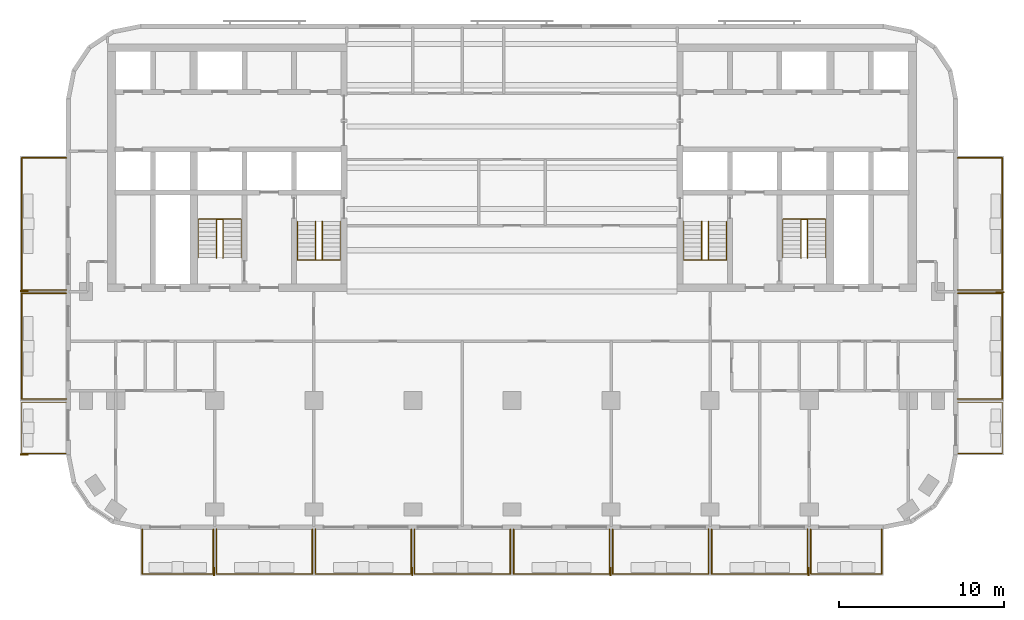
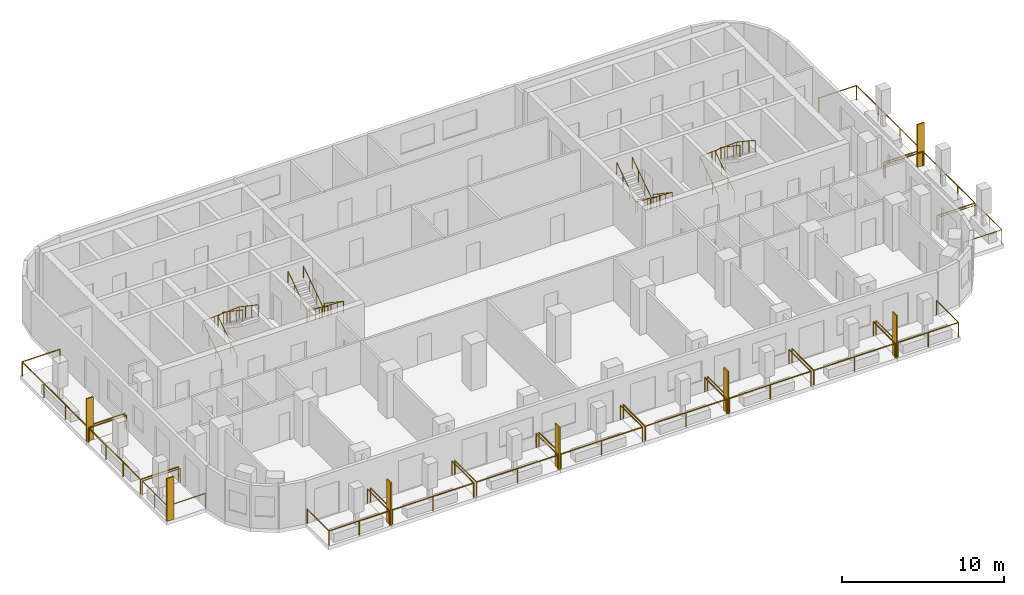
# One storey, part 9 of 11: 22 railings, 7 shading devices.
"""IFC4 building model written with IfcOpenShell, lengths in metres."""

from ifc_helpers import new_model, si_unit, direction, frame, origin, origin_2d, place, context, subcontext, project, spatial, rectangle, circle, extrude, material, layer, layer_set, type_object, element, save


model = new_model("IFC4")

# Units and contexts
model_context = context("Model", 3, precision=1e-05, world=origin(), true_north=direction((0.0, 1.0)))
body_context = subcontext(model_context, "Body", "Model", "MODEL_VIEW")
ifc_project = project(units=[si_unit("LENGTHUNIT", "METRE"), si_unit("AREAUNIT", "SQUARE_METRE"), si_unit("VOLUMEUNIT", "CUBIC_METRE"), si_unit("PLANEANGLEUNIT", "RADIAN"), si_unit("MASSUNIT", "GRAM", prefix="KILO")], contexts=[model_context])

# Site, building, storey
site_placement = place(None, origin())
site = spatial("IfcSite", under=ifc_project, at=site_placement, CompositionType="ELEMENT")
building_placement = place(site_placement, origin())
building = spatial("IfcBuilding", under=site, at=building_placement, Name="Torana Hotel and Residences", CompositionType="ELEMENT")
storey_placement = place(building_placement, frame((0.0, 0.0, 229.10009765625)))
storey = spatial("IfcBuildingStorey", under=building, at=storey_placement, Name="L60", CompositionType="ELEMENT", Elevation=229.10009765625)

# Shading devices
ifc_material_1 = material(Name="Black powder coated aluminium", Category="aluminium")
ifc_layer = layer(ifc_material_1, 0.080078125)
ifc_layer_set = layer_set([ifc_layer], Name="FN1 VERTICAL FIN 500x80")
shading_device_type = type_object("IfcShadingDeviceType", Name="FN1 VERTICAL FIN 500x80", PredefinedType="USERDEFINED", material=ifc_layer_set)
for number, where, z_axis, x_axis, name in (
    (1, (-18.0400390625, -31.949951171875, 0.0), (0.0, 0.0, 1.0), (-1.0, 0.0, 0.0), "Fin 01"),
    (2, (-6.0400390625, -31.949951171875, 0.0), (0.0, 0.0, 1.0), (-1.0, 0.0, 0.0), "Fin 03"),
    (3, (5.9599609375, -31.949951171875, 0.0), (0.0, 0.0, 1.0), (-1.0, 0.0, 0.0), "Fin 05"),
    (4, (17.9599609375, -31.949951171875, 0.0), (0.0, 0.0, 1.0), (-1.0, 0.0, 0.0), "Fin 07"),
    (5, (-29.550048828125, -24.860107421875, 0.0), (0.0, 0.0, 1.0), (0.0, 1.0, 0.0), "Fin 09"),
    (6, (-29.550048828125, -14.9599609375, 0.0), (0.0, 0.0, 1.0), (0.0, 1.0, 0.0), "Fin 11"),
    (7, (29.550048828125, -15.0400390625, 0.0), (0.0, 0.0, 1.0), (0.0, -1.0, 0.0), "Fin 13"),
):
    element("IfcShadingDevice", number, at=place(storey_placement, frame(where, z_axis=z_axis, x_axis=x_axis)), inside=storey, type_object=shading_device_type, Name=name, ObjectType="FIN", PredefinedType="USERDEFINED", context=body_context, shape_type="SweptSolid", body=[
        extrude(rectangle(XDim=0.080078125, YDim=0.5, at=origin_2d()), origin(), (0.0, 0.0, 1.0), 3.219970703125),
    ])

# Railings
ifc_material_2 = material(Name="Laminated glass balustrade with black handrail", Category="glass")
railing_type_1 = type_object("IfcRailingType", Name="GR1 BALCONY GUARD 1100 GLASS", PredefinedType="GUARDRAIL", material=ifc_material_2)
railing_1_placement = place(storey_placement, frame((-18.10009765625, -29.39990234375, 0.0)))
element("IfcRailing", 8, at=railing_1_placement, inside=storey, type_object=railing_type_1, Name="Balcony guard 01", PredefinedType="GUARDRAIL", context=body_context, shape_type="SweptSolid", body=[
    extrude(circle(Radius=0.02392578125, at=origin_2d()), frame((0.0, 0.0, 1.076171875), z_axis=(0.0, -1.0, 0.0), x_axis=(1.0, 0.0, 0.0)), (0.0, 0.0, 1.0), 2.7001953125),
    extrude(circle(Radius=0.02392578125, at=origin_2d()), frame((0.0, -2.7001953125, 1.076171875), z_axis=(-1.0, 0.0, 0.0), x_axis=(0.0, -1.0, 0.0)), (0.0, 0.0, 1.0), 4.2998046875),
    extrude(circle(Radius=0.02392578125, at=origin_2d()), frame((-4.2998046875, -2.7001953125, 1.076171875), z_axis=(0.0, 1.0, 0.0), x_axis=(-1.0, 0.0, 0.0)), (0.0, 0.0, 1.0), 2.7001953125),
    extrude(circle(Radius=0.02099609375, at=origin_2d()), origin(), (0.0, 0.0, 1.0), 1.052001953125),
    extrude(circle(Radius=0.02099609375, at=origin_2d()), frame((0.0, -2.7001953125, 0.0)), (0.0, 0.0, 1.0), 1.052001953125),
    extrude(circle(Radius=0.02099609375, at=origin_2d()), frame((-2.14990234375, -2.7001953125, 0.0)), (0.0, 0.0, 1.0), 1.052001953125),
    extrude(circle(Radius=0.02099609375, at=origin_2d()), frame((-4.2998046875, -2.7001953125, 0.0)), (0.0, 0.0, 1.0), 1.052001953125),
    extrude(circle(Radius=0.02099609375, at=origin_2d()), frame((-4.2998046875, 0.0, 0.0)), (0.0, 0.0, 1.0), 1.052001953125),
])
for number, where, name in (
    (9, (-12.10009765625, -29.39990234375, 0.0), "Balcony guard 02"),
    (10, (-6.10009765625, -29.39990234375, 0.0), "Balcony guard 03"),
    (11, (-0.10009765625, -29.39990234375, 0.0), "Balcony guard 04"),
    (12, (5.89990234375, -29.39990234375, 0.0), "Balcony guard 05"),
    (13, (11.89990234375, -29.39990234375, 0.0), "Balcony guard 06"),
    (14, (17.89990234375, -29.39990234375, 0.0), "Balcony guard 07"),
):
    element("IfcRailing", number, at=place(storey_placement, frame(where)), inside=storey, type_object=railing_type_1, Name=name, PredefinedType="GUARDRAIL", context=body_context, shape_type="SweptSolid", body=[
        extrude(circle(Radius=0.02392578125, at=origin_2d()), frame((0.0, 0.0, 1.076171875), z_axis=(0.0, -1.0, 0.0), x_axis=(1.0, 0.0, 0.0)), (0.0, 0.0, 1.0), 2.7001953125),
        extrude(circle(Radius=0.02392578125, at=origin_2d()), frame((0.0, -2.7001953125, 1.076171875), z_axis=(-1.0, 0.0, 0.0), x_axis=(0.0, -1.0, 0.0)), (0.0, 0.0, 1.0), 5.7998046875),
        extrude(circle(Radius=0.02392578125, at=origin_2d()), frame((-5.7998046875, -2.7001953125, 1.076171875), z_axis=(0.0, 1.0, 0.0), x_axis=(-1.0, 0.0, 0.0)), (0.0, 0.0, 1.0), 2.7001953125),
        extrude(circle(Radius=0.02099609375, at=origin_2d()), origin(), (0.0, 0.0, 1.0), 1.052001953125),
        extrude(circle(Radius=0.02099609375, at=origin_2d()), frame((0.0, -2.7001953125, 0.0)), (0.0, 0.0, 1.0), 1.052001953125),
        extrude(circle(Radius=0.02099609375, at=origin_2d()), frame((-2.89990234375, -2.7001953125, 0.0)), (0.0, 0.0, 1.0), 1.052001953125),
        extrude(circle(Radius=0.02099609375, at=origin_2d()), frame((-5.7998046875, -2.7001953125, 0.0)), (0.0, 0.0, 1.0), 1.052001953125),
        extrude(circle(Radius=0.02099609375, at=origin_2d()), frame((-5.7998046875, 0.0, 0.0)), (0.0, 0.0, 1.0), 1.052001953125),
    ])
railing_2_placement = place(storey_placement, frame((22.39990234375, -29.39990234375, 0.0)))
element("IfcRailing", 15, at=railing_2_placement, inside=storey, type_object=railing_type_1, Name="Balcony guard 08", PredefinedType="GUARDRAIL", context=body_context, shape_type="SweptSolid", body=[
    extrude(circle(Radius=0.02392578125, at=origin_2d()), frame((0.0, 0.0, 1.076171875), z_axis=(0.0, -1.0, 0.0), x_axis=(1.0, 0.0, 0.0)), (0.0, 0.0, 1.0), 2.7001953125),
    extrude(circle(Radius=0.02392578125, at=origin_2d()), frame((0.0, -2.7001953125, 1.076171875), z_axis=(-1.0, 0.0, 0.0), x_axis=(0.0, -1.0, 0.0)), (0.0, 0.0, 1.0), 4.2998046875),
    extrude(circle(Radius=0.02392578125, at=origin_2d()), frame((-4.2998046875, -2.7001953125, 1.076171875), z_axis=(0.0, 1.0, 0.0), x_axis=(-1.0, 0.0, 0.0)), (0.0, 0.0, 1.0), 2.7001953125),
    extrude(circle(Radius=0.02099609375, at=origin_2d()), origin(), (0.0, 0.0, 1.0), 1.052001953125),
    extrude(circle(Radius=0.02099609375, at=origin_2d()), frame((0.0, -2.7001953125, 0.0)), (0.0, 0.0, 1.0), 1.052001953125),
    extrude(circle(Radius=0.02099609375, at=origin_2d()), frame((-2.14990234375, -2.7001953125, 0.0)), (0.0, 0.0, 1.0), 1.052001953125),
    extrude(circle(Radius=0.02099609375, at=origin_2d()), frame((-4.2998046875, -2.7001953125, 0.0)), (0.0, 0.0, 1.0), 1.052001953125),
    extrude(circle(Radius=0.02099609375, at=origin_2d()), frame((-4.2998046875, 0.0, 0.0)), (0.0, 0.0, 1.0), 1.052001953125),
])
railing_3_placement = place(storey_placement, frame((-27.0, -24.800048828125, 0.0)))
element("IfcRailing", 16, at=railing_3_placement, inside=storey, type_object=railing_type_1, Name="Balcony guard 09", PredefinedType="GUARDRAIL", context=body_context, shape_type="SweptSolid", body=[
    extrude(circle(Radius=0.02392578125, at=origin_2d()), frame((0.0, 0.0, 1.076171875), z_axis=(-1.0, 0.0, 0.0), x_axis=(0.0, -1.0, 0.0)), (0.0, 0.0, 1.0), 2.699951171875),
    extrude(circle(Radius=0.02392578125, at=origin_2d()), frame((-2.699951171875, 0.0, 1.076171875), z_axis=(0.0, 1.0, 0.0), x_axis=(-1.0, 0.0, 0.0)), (0.0, 0.0, 1.0), 3.10009765625),
    extrude(circle(Radius=0.02392578125, at=origin_2d()), frame((-2.699951171875, 3.10009765625, 1.076171875), z_axis=(1.0, 0.0, 0.0), x_axis=(0.0, 1.0, 0.0)), (0.0, 0.0, 1.0), 2.699951171875),
    extrude(circle(Radius=0.02099609375, at=origin_2d()), origin(), (0.0, 0.0, 1.0), 1.052001953125),
    extrude(circle(Radius=0.02099609375, at=origin_2d()), frame((-2.699951171875, 0.0, 0.0)), (0.0, 0.0, 1.0), 1.052001953125),
    extrude(circle(Radius=0.02099609375, at=origin_2d()), frame((-2.699951171875, 1.550048828125, 0.0)), (0.0, 0.0, 1.0), 1.052001953125),
    extrude(circle(Radius=0.02099609375, at=origin_2d()), frame((-2.699951171875, 3.10009765625, 0.0)), (0.0, 0.0, 1.0), 1.052001953125),
    extrude(circle(Radius=0.02099609375, at=origin_2d()), frame((0.0, 3.10009765625, 0.0)), (0.0, 0.0, 1.0), 1.052001953125),
])
railing_4_placement = place(storey_placement, frame((-27.0, -21.5, 0.0)))
element("IfcRailing", 17, at=railing_4_placement, inside=storey, type_object=railing_type_1, Name="Balcony guard 10", PredefinedType="GUARDRAIL", context=body_context, shape_type="SweptSolid", body=[
    extrude(circle(Radius=0.02392578125, at=origin_2d()), frame((0.0, 0.0, 1.076171875), z_axis=(-1.0, 0.0, 0.0), x_axis=(0.0, -1.0, 0.0)), (0.0, 0.0, 1.0), 2.699951171875),
    extrude(circle(Radius=0.02392578125, at=origin_2d()), frame((-2.699951171875, 0.0, 1.076171875), z_axis=(0.0, 1.0, 0.0), x_axis=(-1.0, 0.0, 0.0)), (0.0, 0.0, 1.0), 6.39990234375),
    extrude(circle(Radius=0.02392578125, at=origin_2d()), frame((-2.699951171875, 6.39990234375, 1.076171875), z_axis=(1.0, 0.0, 0.0), x_axis=(0.0, 1.0, 0.0)), (0.0, 0.0, 1.0), 2.699951171875),
    extrude(circle(Radius=0.02099609375, at=origin_2d()), origin(), (0.0, 0.0, 1.0), 1.052001953125),
    extrude(circle(Radius=0.02099609375, at=origin_2d()), frame((-2.699951171875, 0.0, 0.0)), (0.0, 0.0, 1.0), 1.052001953125),
    extrude(circle(Radius=0.02099609375, at=origin_2d()), frame((-2.699951171875, 2.13330078125, 0.0)), (0.0, 0.0, 1.0), 1.052001953125),
    extrude(circle(Radius=0.02099609375, at=origin_2d()), frame((-2.699951171875, 4.2666015625, 0.0)), (0.0, 0.0, 1.0), 1.052001953125),
    extrude(circle(Radius=0.02099609375, at=origin_2d()), frame((-2.699951171875, 6.39990234375, 0.0)), (0.0, 0.0, 1.0), 1.052001953125),
    extrude(circle(Radius=0.02099609375, at=origin_2d()), frame((0.0, 6.39990234375, 0.0)), (0.0, 0.0, 1.0), 1.052001953125),
])
railing_5_placement = place(storey_placement, frame((-27.0, -14.89990234375, 0.0)))
element("IfcRailing", 18, at=railing_5_placement, inside=storey, type_object=railing_type_1, Name="Balcony guard 11", PredefinedType="GUARDRAIL", context=body_context, shape_type="SweptSolid", body=[
    extrude(circle(Radius=0.02392578125, at=origin_2d()), frame((0.0, 0.0, 1.076171875), z_axis=(-1.0, 0.0, 0.0), x_axis=(0.0, -1.0, 0.0)), (0.0, 0.0, 1.0), 2.699951171875),
    extrude(circle(Radius=0.02392578125, at=origin_2d()), frame((-2.699951171875, 0.0, 1.076171875), z_axis=(0.0, 1.0, 0.0), x_axis=(-1.0, 0.0, 0.0)), (0.0, 0.0, 1.0), 8.0),
    extrude(circle(Radius=0.02392578125, at=origin_2d()), frame((-2.699951171875, 8.0, 1.076171875), z_axis=(1.0, 0.0, 0.0), x_axis=(0.0, 1.0, 0.0)), (0.0, 0.0, 1.0), 2.699951171875),
    extrude(circle(Radius=0.02099609375, at=origin_2d()), origin(), (0.0, 0.0, 1.0), 1.052001953125),
    extrude(circle(Radius=0.02099609375, at=origin_2d()), frame((-2.699951171875, 0.0, 0.0)), (0.0, 0.0, 1.0), 1.052001953125),
    extrude(circle(Radius=0.02099609375, at=origin_2d()), frame((-2.699951171875, 2.666748046875, 0.0)), (0.0, 0.0, 1.0), 1.052001953125),
    extrude(circle(Radius=0.02099609375, at=origin_2d()), frame((-2.699951171875, 5.333251953125, 0.0)), (0.0, 0.0, 1.0), 1.052001953125),
    extrude(circle(Radius=0.02099609375, at=origin_2d()), frame((-2.699951171875, 8.0, 0.0)), (0.0, 0.0, 1.0), 1.052001953125),
    extrude(circle(Radius=0.02099609375, at=origin_2d()), frame((0.0, 8.0, 0.0)), (0.0, 0.0, 1.0), 1.052001953125),
])
railing_6_placement = place(storey_placement, frame((27.0, -21.699951171875, 0.0)))
element("IfcRailing", 19, at=railing_6_placement, inside=storey, type_object=railing_type_1, Name="Balcony guard 12", PredefinedType="GUARDRAIL", context=body_context, shape_type="SweptSolid", body=[
    extrude(circle(Radius=0.02392578125, at=origin_2d()), frame((0.0, 0.0, 1.076171875), z_axis=(1.0, 0.0, 0.0), x_axis=(0.0, 1.0, 0.0)), (0.0, 0.0, 1.0), 2.699951171875),
    extrude(circle(Radius=0.02392578125, at=origin_2d()), frame((2.699951171875, 0.0, 1.076171875), z_axis=(0.0, -1.0, 0.0), x_axis=(1.0, 0.0, 0.0)), (0.0, 0.0, 1.0), 3.10009765625),
    extrude(circle(Radius=0.02392578125, at=origin_2d()), frame((2.699951171875, -3.10009765625, 1.076171875), z_axis=(-1.0, 0.0, 0.0), x_axis=(0.0, -1.0, 0.0)), (0.0, 0.0, 1.0), 2.699951171875),
    extrude(circle(Radius=0.02099609375, at=origin_2d()), origin(), (0.0, 0.0, 1.0), 1.052001953125),
    extrude(circle(Radius=0.02099609375, at=origin_2d()), frame((2.699951171875, 0.0, 0.0)), (0.0, 0.0, 1.0), 1.052001953125),
    extrude(circle(Radius=0.02099609375, at=origin_2d()), frame((2.699951171875, -1.550048828125, 0.0)), (0.0, 0.0, 1.0), 1.052001953125),
    extrude(circle(Radius=0.02099609375, at=origin_2d()), frame((2.699951171875, -3.10009765625, 0.0)), (0.0, 0.0, 1.0), 1.052001953125),
    extrude(circle(Radius=0.02099609375, at=origin_2d()), frame((0.0, -3.10009765625, 0.0)), (0.0, 0.0, 1.0), 1.052001953125),
])
railing_7_placement = place(storey_placement, frame((27.0, -15.10009765625, 0.0)))
element("IfcRailing", 20, at=railing_7_placement, inside=storey, type_object=railing_type_1, Name="Balcony guard 13", PredefinedType="GUARDRAIL", context=body_context, shape_type="SweptSolid", body=[
    extrude(circle(Radius=0.02392578125, at=origin_2d()), frame((0.0, 0.0, 1.076171875), z_axis=(1.0, 0.0, 0.0), x_axis=(0.0, 1.0, 0.0)), (0.0, 0.0, 1.0), 2.699951171875),
    extrude(circle(Radius=0.02392578125, at=origin_2d()), frame((2.699951171875, 0.0, 1.076171875), z_axis=(0.0, -1.0, 0.0), x_axis=(1.0, 0.0, 0.0)), (0.0, 0.0, 1.0), 6.39990234375),
    extrude(circle(Radius=0.02392578125, at=origin_2d()), frame((2.699951171875, -6.39990234375, 1.076171875), z_axis=(-1.0, 0.0, 0.0), x_axis=(0.0, -1.0, 0.0)), (0.0, 0.0, 1.0), 2.699951171875),
    extrude(circle(Radius=0.02099609375, at=origin_2d()), origin(), (0.0, 0.0, 1.0), 1.052001953125),
    extrude(circle(Radius=0.02099609375, at=origin_2d()), frame((2.699951171875, 0.0, 0.0)), (0.0, 0.0, 1.0), 1.052001953125),
    extrude(circle(Radius=0.02099609375, at=origin_2d()), frame((2.699951171875, -2.13330078125, 0.0)), (0.0, 0.0, 1.0), 1.052001953125),
    extrude(circle(Radius=0.02099609375, at=origin_2d()), frame((2.699951171875, -4.2666015625, 0.0)), (0.0, 0.0, 1.0), 1.052001953125),
    extrude(circle(Radius=0.02099609375, at=origin_2d()), frame((2.699951171875, -6.39990234375, 0.0)), (0.0, 0.0, 1.0), 1.052001953125),
    extrude(circle(Radius=0.02099609375, at=origin_2d()), frame((0.0, -6.39990234375, 0.0)), (0.0, 0.0, 1.0), 1.052001953125),
])
railing_8_placement = place(storey_placement, frame((27.0, -6.89990234375, 0.0)))
element("IfcRailing", 21, at=railing_8_placement, inside=storey, type_object=railing_type_1, Name="Balcony guard 14", PredefinedType="GUARDRAIL", context=body_context, shape_type="SweptSolid", body=[
    extrude(circle(Radius=0.02392578125, at=origin_2d()), frame((0.0, 0.0, 1.076171875), z_axis=(1.0, 0.0, 0.0), x_axis=(0.0, 1.0, 0.0)), (0.0, 0.0, 1.0), 2.699951171875),
    extrude(circle(Radius=0.02392578125, at=origin_2d()), frame((2.699951171875, 0.0, 1.076171875), z_axis=(0.0, -1.0, 0.0), x_axis=(1.0, 0.0, 0.0)), (0.0, 0.0, 1.0), 8.0),
    extrude(circle(Radius=0.02392578125, at=origin_2d()), frame((2.699951171875, -8.0, 1.076171875), z_axis=(-1.0, 0.0, 0.0), x_axis=(0.0, -1.0, 0.0)), (0.0, 0.0, 1.0), 2.699951171875),
    extrude(circle(Radius=0.02099609375, at=origin_2d()), origin(), (0.0, 0.0, 1.0), 1.052001953125),
    extrude(circle(Radius=0.02099609375, at=origin_2d()), frame((2.699951171875, 0.0, 0.0)), (0.0, 0.0, 1.0), 1.052001953125),
    extrude(circle(Radius=0.02099609375, at=origin_2d()), frame((2.699951171875, -2.666748046875, 0.0)), (0.0, 0.0, 1.0), 1.052001953125),
    extrude(circle(Radius=0.02099609375, at=origin_2d()), frame((2.699951171875, -5.333251953125, 0.0)), (0.0, 0.0, 1.0), 1.052001953125),
    extrude(circle(Radius=0.02099609375, at=origin_2d()), frame((2.699951171875, -8.0, 0.0)), (0.0, 0.0, 1.0), 1.052001953125),
    extrude(circle(Radius=0.02099609375, at=origin_2d()), frame((0.0, -8.0, 0.0)), (0.0, 0.0, 1.0), 1.052001953125),
])
ifc_material_3 = material(Name="Stainless steel 316", Category="steel")
railing_type_2 = type_object("IfcRailingType", Name="STAIR HANDRAIL HR1 900", PredefinedType="HANDRAIL", material=ifc_material_3)
railing_9_placement = place(storey_placement, frame((-10.39990234375, -10.75, 0.1748046875)))
element("IfcRailing", 22, at=railing_9_placement, inside=storey, type_object=railing_type_2, Name="Handrail ST1 L60 O1", PredefinedType="HANDRAIL", context=body_context, shape_type="SweptSolid", body=[
    extrude(circle(Radius=0.02392578125, at=origin_2d()), frame((0.0, 0.0, 0.8759765625), z_axis=(0.0, -0.829565388462, 0.558409586474), x_axis=(1.0, 0.0, 0.0)), (0.0, 0.0, 1.0), 2.82080078125),
    extrude(circle(Radius=0.02392578125, at=origin_2d()), frame((0.0, -2.340087890625, 2.451171875), z_axis=(-0.997747692642, 0.0, 0.067078624219), x_axis=(0.0, -1.0, 0.0)), (0.0, 0.0, 1.0), 2.60595703125),
    extrude(circle(Radius=0.02392578125, at=origin_2d()), frame((-2.60009765625, -2.340087890625, 2.6259765625), z_axis=(0.0, 0.829565388462, 0.558409586474), x_axis=(-1.0, 0.0, 0.0)), (0.0, 0.0, 1.0), 2.82080078125),
    extrude(circle(Radius=0.02099609375, at=origin_2d()), origin(), (0.0, 0.0, 1.0), 0.851806640625),
    extrude(circle(Radius=0.02099609375, at=origin_2d()), frame((0.0, -0.780029296875, 0.525146484375)), (0.0, 0.0, 1.0), 0.851806640625),
    extrude(circle(Radius=0.02099609375, at=origin_2d()), frame((0.0, -1.56005859375, 1.050048828125)), (0.0, 0.0, 1.0), 0.851806640625),
    extrude(circle(Radius=0.02099609375, at=origin_2d()), frame((0.0, -2.340087890625, 1.5751953125)), (0.0, 0.0, 1.0), 0.851806640625),
    extrude(circle(Radius=0.02099609375, at=origin_2d()), frame((-0.86669921875, -2.340087890625, 1.633544921875)), (0.0, 0.0, 1.0), 0.851806640625),
    extrude(circle(Radius=0.02099609375, at=origin_2d()), frame((-1.7333984375, -2.340087890625, 1.691650390625)), (0.0, 0.0, 1.0), 0.851806640625),
    extrude(circle(Radius=0.02099609375, at=origin_2d()), frame((-2.60009765625, -2.340087890625, 1.75)), (0.0, 0.0, 1.0), 0.851806640625),
    extrude(circle(Radius=0.02099609375, at=origin_2d()), frame((-2.60009765625, -1.56005859375, 2.275146484375)), (0.0, 0.0, 1.0), 0.851806640625),
    extrude(circle(Radius=0.02099609375, at=origin_2d()), frame((-2.60009765625, -0.780029296875, 2.800048828125)), (0.0, 0.0, 1.0), 0.851806640625),
    extrude(circle(Radius=0.02099609375, at=origin_2d()), frame((-2.60009765625, 0.0, 3.3251953125)), (0.0, 0.0, 1.0), 0.851806640625),
])
railing_10_placement = place(storey_placement, frame((-11.5, -10.75, 0.1748046875)))
element("IfcRailing", 23, at=railing_10_placement, inside=storey, type_object=railing_type_2, Name="Handrail ST1 L60 I1", PredefinedType="HANDRAIL", context=body_context, shape_type="SweptSolid", body=[
    extrude(circle(Radius=0.02392578125, at=origin_2d()), frame((0.0, 0.0, 0.8759765625), z_axis=(0.0, -0.829565388462, 0.558409586474), x_axis=(1.0, 0.0, 0.0)), (0.0, 0.0, 1.0), 2.82080078125),
    extrude(circle(Radius=0.02392578125, at=origin_2d()), frame((0.0, -2.340087890625, 2.451171875), z_axis=(-0.916285673175, 0.0, 0.400525361412), x_axis=(0.0, -1.0, 0.0)), (0.0, 0.0, 1.0), 0.4365234375),
    extrude(circle(Radius=0.02392578125, at=origin_2d()), frame((-0.39990234375, -2.340087890625, 2.6259765625), z_axis=(0.0, 0.829565388462, 0.558409586474), x_axis=(-1.0, 0.0, 0.0)), (0.0, 0.0, 1.0), 2.82080078125),
    extrude(circle(Radius=0.02099609375, at=origin_2d()), origin(), (0.0, 0.0, 1.0), 0.851806640625),
    extrude(circle(Radius=0.02099609375, at=origin_2d()), frame((0.0, -0.780029296875, 0.525146484375)), (0.0, 0.0, 1.0), 0.851806640625),
    extrude(circle(Radius=0.02099609375, at=origin_2d()), frame((0.0, -1.56005859375, 1.050048828125)), (0.0, 0.0, 1.0), 0.851806640625),
    extrude(circle(Radius=0.02099609375, at=origin_2d()), frame((0.0, -2.340087890625, 1.5751953125)), (0.0, 0.0, 1.0), 0.851806640625),
    extrude(circle(Radius=0.02099609375, at=origin_2d()), frame((-0.39990234375, -2.340087890625, 1.75)), (0.0, 0.0, 1.0), 0.851806640625),
    extrude(circle(Radius=0.02099609375, at=origin_2d()), frame((-0.39990234375, -1.56005859375, 2.275146484375)), (0.0, 0.0, 1.0), 0.851806640625),
    extrude(circle(Radius=0.02099609375, at=origin_2d()), frame((-0.39990234375, -0.780029296875, 2.800048828125)), (0.0, 0.0, 1.0), 0.851806640625),
    extrude(circle(Radius=0.02099609375, at=origin_2d()), frame((-0.39990234375, 0.0, 3.3251953125)), (0.0, 0.0, 1.0), 0.851806640625),
])
railing_11_placement = place(storey_placement, frame((-19.0, -12.949951171875, 0.1748046875)))
element("IfcRailing", 24, at=railing_11_placement, inside=storey, type_object=railing_type_2, Name="Handrail ST2 L60 O1", PredefinedType="HANDRAIL", context=body_context, shape_type="SweptSolid", body=[
    extrude(circle(Radius=0.02392578125, at=origin_2d()), frame((0.0, 0.0, 0.8759765625), z_axis=(0.0, 0.829538397957, 0.558449681095), x_axis=(-1.0, 0.0, 0.0)), (0.0, 0.0, 1.0), 2.820556640625),
    extrude(circle(Radius=0.02392578125, at=origin_2d()), frame((0.0, 2.33984375, 2.451171875), z_axis=(0.997747692642, 0.0, 0.067078624219), x_axis=(0.0, 1.0, 0.0)), (0.0, 0.0, 1.0), 2.60595703125),
    extrude(circle(Radius=0.02392578125, at=origin_2d()), frame((2.60009765625, 2.33984375, 2.6259765625), z_axis=(0.0, -0.829538397957, 0.558449681095), x_axis=(1.0, 0.0, 0.0)), (0.0, 0.0, 1.0), 2.820556640625),
    extrude(circle(Radius=0.02099609375, at=origin_2d()), origin(), (0.0, 0.0, 1.0), 0.851806640625),
    extrude(circle(Radius=0.02099609375, at=origin_2d()), frame((0.0, 0.780029296875, 0.525146484375)), (0.0, 0.0, 1.0), 0.851806640625),
    extrude(circle(Radius=0.02099609375, at=origin_2d()), frame((0.0, 1.559814453125, 1.050048828125)), (0.0, 0.0, 1.0), 0.851806640625),
    extrude(circle(Radius=0.02099609375, at=origin_2d()), frame((0.0, 2.33984375, 1.5751953125)), (0.0, 0.0, 1.0), 0.851806640625),
    extrude(circle(Radius=0.02099609375, at=origin_2d()), frame((0.86669921875, 2.33984375, 1.633544921875)), (0.0, 0.0, 1.0), 0.851806640625),
    extrude(circle(Radius=0.02099609375, at=origin_2d()), frame((1.7333984375, 2.33984375, 1.691650390625)), (0.0, 0.0, 1.0), 0.851806640625),
    extrude(circle(Radius=0.02099609375, at=origin_2d()), frame((2.60009765625, 2.33984375, 1.75)), (0.0, 0.0, 1.0), 0.851806640625),
    extrude(circle(Radius=0.02099609375, at=origin_2d()), frame((2.60009765625, 1.559814453125, 2.275146484375)), (0.0, 0.0, 1.0), 0.851806640625),
    extrude(circle(Radius=0.02099609375, at=origin_2d()), frame((2.60009765625, 0.780029296875, 2.800048828125)), (0.0, 0.0, 1.0), 0.851806640625),
    extrude(circle(Radius=0.02099609375, at=origin_2d()), frame((2.60009765625, 0.0, 3.3251953125)), (0.0, 0.0, 1.0), 0.851806640625),
])
railing_12_placement = place(storey_placement, frame((-17.89990234375, -12.949951171875, 0.1748046875)))
element("IfcRailing", 25, at=railing_12_placement, inside=storey, type_object=railing_type_2, Name="Handrail ST2 L60 I1", PredefinedType="HANDRAIL", context=body_context, shape_type="SweptSolid", body=[
    extrude(circle(Radius=0.02392578125, at=origin_2d()), frame((0.0, 0.0, 0.8759765625), z_axis=(0.0, 0.829538397957, 0.558449681095), x_axis=(-1.0, 0.0, 0.0)), (0.0, 0.0, 1.0), 2.820556640625),
    extrude(circle(Radius=0.02392578125, at=origin_2d()), frame((0.0, 2.33984375, 2.451171875), z_axis=(0.916285673175, 0.0, 0.400525361412), x_axis=(0.0, 1.0, 0.0)), (0.0, 0.0, 1.0), 0.4365234375),
    extrude(circle(Radius=0.02392578125, at=origin_2d()), frame((0.39990234375, 2.33984375, 2.6259765625), z_axis=(0.0, -0.829538397957, 0.558449681095), x_axis=(1.0, 0.0, 0.0)), (0.0, 0.0, 1.0), 2.820556640625),
    extrude(circle(Radius=0.02099609375, at=origin_2d()), origin(), (0.0, 0.0, 1.0), 0.851806640625),
    extrude(circle(Radius=0.02099609375, at=origin_2d()), frame((0.0, 0.780029296875, 0.525146484375)), (0.0, 0.0, 1.0), 0.851806640625),
    extrude(circle(Radius=0.02099609375, at=origin_2d()), frame((0.0, 1.559814453125, 1.050048828125)), (0.0, 0.0, 1.0), 0.851806640625),
    extrude(circle(Radius=0.02099609375, at=origin_2d()), frame((0.0, 2.33984375, 1.5751953125)), (0.0, 0.0, 1.0), 0.851806640625),
    extrude(circle(Radius=0.02099609375, at=origin_2d()), frame((0.39990234375, 2.33984375, 1.75)), (0.0, 0.0, 1.0), 0.851806640625),
    extrude(circle(Radius=0.02099609375, at=origin_2d()), frame((0.39990234375, 1.559814453125, 2.275146484375)), (0.0, 0.0, 1.0), 0.851806640625),
    extrude(circle(Radius=0.02099609375, at=origin_2d()), frame((0.39990234375, 0.780029296875, 2.800048828125)), (0.0, 0.0, 1.0), 0.851806640625),
    extrude(circle(Radius=0.02099609375, at=origin_2d()), frame((0.39990234375, 0.0, 3.3251953125)), (0.0, 0.0, 1.0), 0.851806640625),
])
railing_13_placement = place(storey_placement, frame((13.0, -10.75, 0.1748046875)))
element("IfcRailing", 26, at=railing_13_placement, inside=storey, type_object=railing_type_2, Name="Handrail ST3 L60 O1", PredefinedType="HANDRAIL", context=body_context, shape_type="SweptSolid", body=[
    extrude(circle(Radius=0.02392578125, at=origin_2d()), frame((0.0, 0.0, 0.8759765625), z_axis=(0.0, -0.829565388462, 0.558409586474), x_axis=(1.0, 0.0, 0.0)), (0.0, 0.0, 1.0), 2.82080078125),
    extrude(circle(Radius=0.02392578125, at=origin_2d()), frame((0.0, -2.340087890625, 2.451171875), z_axis=(-0.997747692642, 0.0, 0.067078624219), x_axis=(0.0, -1.0, 0.0)), (0.0, 0.0, 1.0), 2.60595703125),
    extrude(circle(Radius=0.02392578125, at=origin_2d()), frame((-2.60009765625, -2.340087890625, 2.6259765625), z_axis=(0.0, 0.829565388462, 0.558409586474), x_axis=(-1.0, 0.0, 0.0)), (0.0, 0.0, 1.0), 2.82080078125),
    extrude(circle(Radius=0.02099609375, at=origin_2d()), origin(), (0.0, 0.0, 1.0), 0.851806640625),
    extrude(circle(Radius=0.02099609375, at=origin_2d()), frame((0.0, -0.780029296875, 0.525146484375)), (0.0, 0.0, 1.0), 0.851806640625),
    extrude(circle(Radius=0.02099609375, at=origin_2d()), frame((0.0, -1.56005859375, 1.050048828125)), (0.0, 0.0, 1.0), 0.851806640625),
    extrude(circle(Radius=0.02099609375, at=origin_2d()), frame((0.0, -2.340087890625, 1.5751953125)), (0.0, 0.0, 1.0), 0.851806640625),
    extrude(circle(Radius=0.02099609375, at=origin_2d()), frame((-0.86669921875, -2.340087890625, 1.633544921875)), (0.0, 0.0, 1.0), 0.851806640625),
    extrude(circle(Radius=0.02099609375, at=origin_2d()), frame((-1.7333984375, -2.340087890625, 1.691650390625)), (0.0, 0.0, 1.0), 0.851806640625),
    extrude(circle(Radius=0.02099609375, at=origin_2d()), frame((-2.60009765625, -2.340087890625, 1.75)), (0.0, 0.0, 1.0), 0.851806640625),
    extrude(circle(Radius=0.02099609375, at=origin_2d()), frame((-2.60009765625, -1.56005859375, 2.275146484375)), (0.0, 0.0, 1.0), 0.851806640625),
    extrude(circle(Radius=0.02099609375, at=origin_2d()), frame((-2.60009765625, -0.780029296875, 2.800048828125)), (0.0, 0.0, 1.0), 0.851806640625),
    extrude(circle(Radius=0.02099609375, at=origin_2d()), frame((-2.60009765625, 0.0, 3.3251953125)), (0.0, 0.0, 1.0), 0.851806640625),
])
railing_14_placement = place(storey_placement, frame((11.89990234375, -10.75, 0.1748046875)))
element("IfcRailing", 27, at=railing_14_placement, inside=storey, type_object=railing_type_2, Name="Handrail ST3 L60 I1", PredefinedType="HANDRAIL", context=body_context, shape_type="SweptSolid", body=[
    extrude(circle(Radius=0.02392578125, at=origin_2d()), frame((0.0, 0.0, 0.8759765625), z_axis=(0.0, -0.829565388462, 0.558409586474), x_axis=(1.0, 0.0, 0.0)), (0.0, 0.0, 1.0), 2.82080078125),
    extrude(circle(Radius=0.02392578125, at=origin_2d()), frame((0.0, -2.340087890625, 2.451171875), z_axis=(-0.916285673175, 0.0, 0.400525361412), x_axis=(0.0, -1.0, 0.0)), (0.0, 0.0, 1.0), 0.4365234375),
    extrude(circle(Radius=0.02392578125, at=origin_2d()), frame((-0.39990234375, -2.340087890625, 2.6259765625), z_axis=(0.0, 0.829565388462, 0.558409586474), x_axis=(-1.0, 0.0, 0.0)), (0.0, 0.0, 1.0), 2.82080078125),
    extrude(circle(Radius=0.02099609375, at=origin_2d()), origin(), (0.0, 0.0, 1.0), 0.851806640625),
    extrude(circle(Radius=0.02099609375, at=origin_2d()), frame((0.0, -0.780029296875, 0.525146484375)), (0.0, 0.0, 1.0), 0.851806640625),
    extrude(circle(Radius=0.02099609375, at=origin_2d()), frame((0.0, -1.56005859375, 1.050048828125)), (0.0, 0.0, 1.0), 0.851806640625),
    extrude(circle(Radius=0.02099609375, at=origin_2d()), frame((0.0, -2.340087890625, 1.5751953125)), (0.0, 0.0, 1.0), 0.851806640625),
    extrude(circle(Radius=0.02099609375, at=origin_2d()), frame((-0.39990234375, -2.340087890625, 1.75)), (0.0, 0.0, 1.0), 0.851806640625),
    extrude(circle(Radius=0.02099609375, at=origin_2d()), frame((-0.39990234375, -1.56005859375, 2.275146484375)), (0.0, 0.0, 1.0), 0.851806640625),
    extrude(circle(Radius=0.02099609375, at=origin_2d()), frame((-0.39990234375, -0.780029296875, 2.800048828125)), (0.0, 0.0, 1.0), 0.851806640625),
    extrude(circle(Radius=0.02099609375, at=origin_2d()), frame((-0.39990234375, 0.0, 3.3251953125)), (0.0, 0.0, 1.0), 0.851806640625),
])
railing_15_placement = place(storey_placement, frame((16.39990234375, -12.949951171875, 0.1748046875)))
element("IfcRailing", 28, at=railing_15_placement, inside=storey, type_object=railing_type_2, Name="Handrail ST4 L60 O1", PredefinedType="HANDRAIL", context=body_context, shape_type="SweptSolid", body=[
    extrude(circle(Radius=0.02392578125, at=origin_2d()), frame((0.0, 0.0, 0.8759765625), z_axis=(0.0, 0.829538397957, 0.558449681095), x_axis=(-1.0, 0.0, 0.0)), (0.0, 0.0, 1.0), 2.820556640625),
    extrude(circle(Radius=0.02392578125, at=origin_2d()), frame((0.0, 2.33984375, 2.451171875), z_axis=(0.997747692642, 0.0, 0.067078624219), x_axis=(0.0, 1.0, 0.0)), (0.0, 0.0, 1.0), 2.60595703125),
    extrude(circle(Radius=0.02392578125, at=origin_2d()), frame((2.60009765625, 2.33984375, 2.6259765625), z_axis=(0.0, -0.829538397957, 0.558449681095), x_axis=(1.0, 0.0, 0.0)), (0.0, 0.0, 1.0), 2.820556640625),
    extrude(circle(Radius=0.02099609375, at=origin_2d()), origin(), (0.0, 0.0, 1.0), 0.851806640625),
    extrude(circle(Radius=0.02099609375, at=origin_2d()), frame((0.0, 0.780029296875, 0.525146484375)), (0.0, 0.0, 1.0), 0.851806640625),
    extrude(circle(Radius=0.02099609375, at=origin_2d()), frame((0.0, 1.559814453125, 1.050048828125)), (0.0, 0.0, 1.0), 0.851806640625),
    extrude(circle(Radius=0.02099609375, at=origin_2d()), frame((0.0, 2.33984375, 1.5751953125)), (0.0, 0.0, 1.0), 0.851806640625),
    extrude(circle(Radius=0.02099609375, at=origin_2d()), frame((0.86669921875, 2.33984375, 1.633544921875)), (0.0, 0.0, 1.0), 0.851806640625),
    extrude(circle(Radius=0.02099609375, at=origin_2d()), frame((1.7333984375, 2.33984375, 1.691650390625)), (0.0, 0.0, 1.0), 0.851806640625),
    extrude(circle(Radius=0.02099609375, at=origin_2d()), frame((2.60009765625, 2.33984375, 1.75)), (0.0, 0.0, 1.0), 0.851806640625),
    extrude(circle(Radius=0.02099609375, at=origin_2d()), frame((2.60009765625, 1.559814453125, 2.275146484375)), (0.0, 0.0, 1.0), 0.851806640625),
    extrude(circle(Radius=0.02099609375, at=origin_2d()), frame((2.60009765625, 0.780029296875, 2.800048828125)), (0.0, 0.0, 1.0), 0.851806640625),
    extrude(circle(Radius=0.02099609375, at=origin_2d()), frame((2.60009765625, 0.0, 3.3251953125)), (0.0, 0.0, 1.0), 0.851806640625),
])
railing_16_placement = place(storey_placement, frame((17.5, -12.949951171875, 0.1748046875)))
element("IfcRailing", 29, at=railing_16_placement, inside=storey, type_object=railing_type_2, Name="Handrail ST4 L60 I1", PredefinedType="HANDRAIL", context=body_context, shape_type="SweptSolid", body=[
    extrude(circle(Radius=0.02392578125, at=origin_2d()), frame((0.0, 0.0, 0.8759765625), z_axis=(0.0, 0.829538397957, 0.558449681095), x_axis=(-1.0, 0.0, 0.0)), (0.0, 0.0, 1.0), 2.820556640625),
    extrude(circle(Radius=0.02392578125, at=origin_2d()), frame((0.0, 2.33984375, 2.451171875), z_axis=(0.916285673175, 0.0, 0.400525361412), x_axis=(0.0, 1.0, 0.0)), (0.0, 0.0, 1.0), 0.4365234375),
    extrude(circle(Radius=0.02392578125, at=origin_2d()), frame((0.39990234375, 2.33984375, 2.6259765625), z_axis=(0.0, -0.829538397957, 0.558449681095), x_axis=(1.0, 0.0, 0.0)), (0.0, 0.0, 1.0), 2.820556640625),
    extrude(circle(Radius=0.02099609375, at=origin_2d()), origin(), (0.0, 0.0, 1.0), 0.851806640625),
    extrude(circle(Radius=0.02099609375, at=origin_2d()), frame((0.0, 0.780029296875, 0.525146484375)), (0.0, 0.0, 1.0), 0.851806640625),
    extrude(circle(Radius=0.02099609375, at=origin_2d()), frame((0.0, 1.559814453125, 1.050048828125)), (0.0, 0.0, 1.0), 0.851806640625),
    extrude(circle(Radius=0.02099609375, at=origin_2d()), frame((0.0, 2.33984375, 1.5751953125)), (0.0, 0.0, 1.0), 0.851806640625),
    extrude(circle(Radius=0.02099609375, at=origin_2d()), frame((0.39990234375, 2.33984375, 1.75)), (0.0, 0.0, 1.0), 0.851806640625),
    extrude(circle(Radius=0.02099609375, at=origin_2d()), frame((0.39990234375, 1.559814453125, 2.275146484375)), (0.0, 0.0, 1.0), 0.851806640625),
    extrude(circle(Radius=0.02099609375, at=origin_2d()), frame((0.39990234375, 0.780029296875, 2.800048828125)), (0.0, 0.0, 1.0), 0.851806640625),
    extrude(circle(Radius=0.02099609375, at=origin_2d()), frame((0.39990234375, 0.0, 3.3251953125)), (0.0, 0.0, 1.0), 0.851806640625),
])

save(model, "model.ifc")
